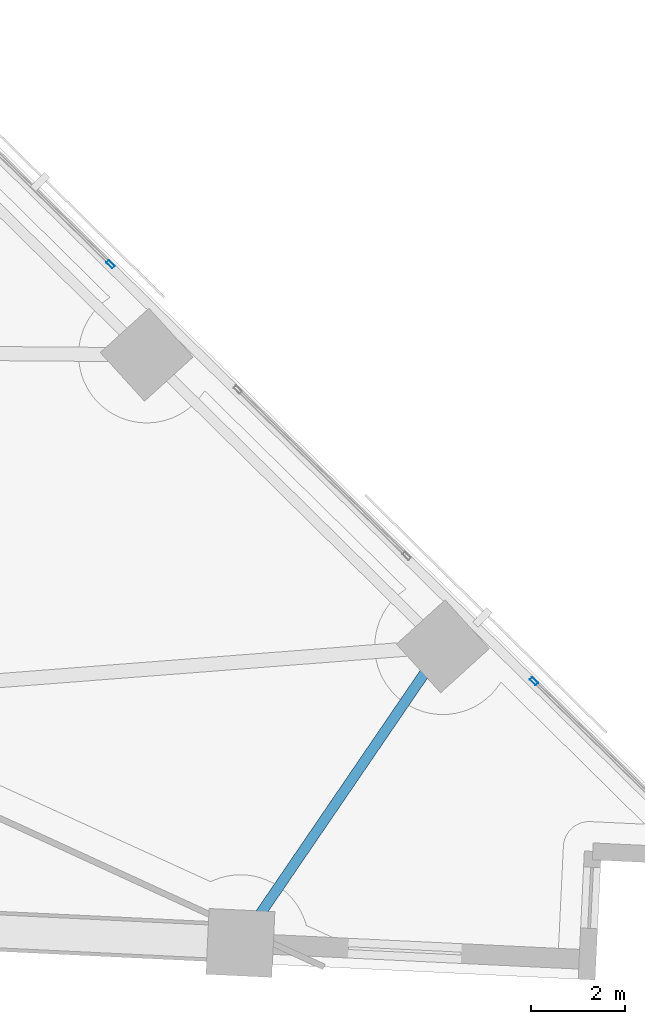
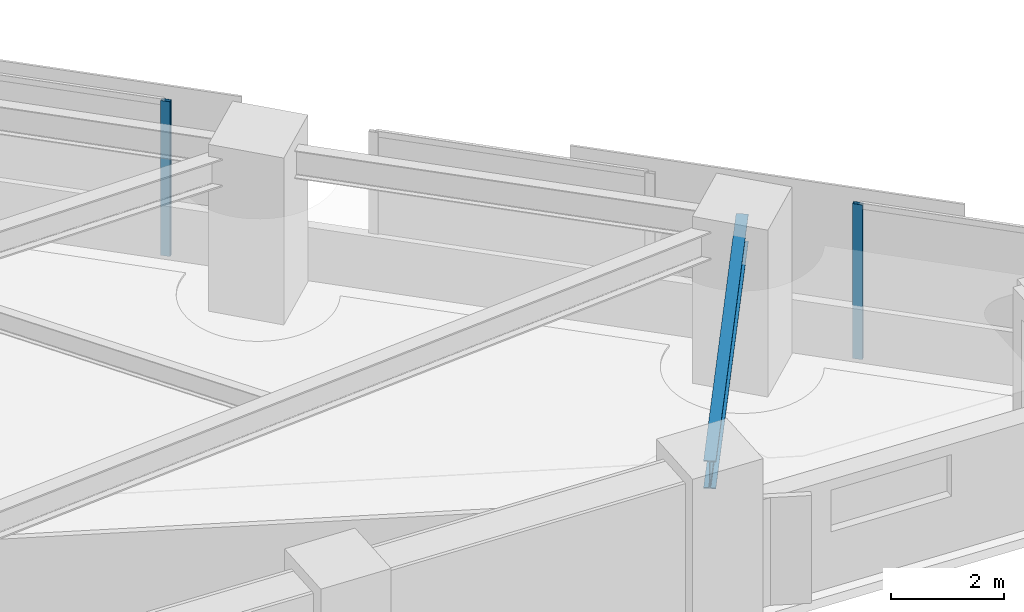
# One storey, part 4 of 18: 2 members, 1 beam, 2 elements without a shape of their own.
"""IFC4 building model written with IfcOpenShell, lengths in metres."""

from ifc_helpers import new_model, si_unit, direction, frame, origin, origin_2d, place, context, subcontext, project, spatial, hollow_rectangle, i_section, extrude, material, material_profile, profile_set, type_object, element, aggregate, save


model = new_model("IFC4")

# Units and contexts
model_context = context("Model", 3, precision=1e-05, world=origin(), true_north=direction((0.0, 1.0)))
body_context = subcontext(model_context, "Body", "Model", "MODEL_VIEW")
ifc_project = project(units=[si_unit("LENGTHUNIT", "METRE"), si_unit("AREAUNIT", "SQUARE_METRE"), si_unit("VOLUMEUNIT", "CUBIC_METRE"), si_unit("PLANEANGLEUNIT", "RADIAN"), si_unit("MASSUNIT", "GRAM", prefix="KILO")], contexts=[model_context])

# Site, building, storey
site_placement = place(None, origin())
site = spatial("IfcSite", under=ifc_project, at=site_placement, CompositionType="ELEMENT")
building_placement = place(site_placement, origin())
building = spatial("IfcBuilding", under=site, at=building_placement, Name="Narakoshi Arena Tower", CompositionType="ELEMENT")
storey_placement = place(building_placement, frame((0.0, 0.0, 44.699951171875)))
storey = spatial("IfcBuildingStorey", under=building, at=storey_placement, Name="L11", CompositionType="ELEMENT", Elevation=44.699951171875)

# Beam
ifc_material_1 = material(Name="Structural steel S355J2", Category="steel")
ifc_material_profile_1 = material_profile(ifc_material_1, i_section(OverallWidth=0.219970703125, OverallDepth=0.60009765625, WebThickness=0.011962890625, FlangeThickness=0.01904296875, FilletRadius=0.02392578125, at=origin_2d()), Name="IPE600")
ifc_profile_set_1 = profile_set([ifc_material_profile_1], Name="Structural steel S355J2")
beam_type = type_object("IfcBeamType", Name="BM-EDGE-600", PredefinedType="BEAM", material=ifc_profile_set_1)
beam_placement = place(storey_placement, frame((110.636474609375, 30.661865234375, 3.0400390625), z_axis=(0.563755333308, 0.825941840668, 0.0), x_axis=(-0.825941840668, 0.563755333308, 0.0)))
element("IfcBeam", 1, at=beam_placement, inside=storey, type_object=beam_type, Name="L11 Perimeter Edge Girder 04", PredefinedType="BEAM", context=body_context, shape_type="SweptSolid", body=[
    extrude(i_section(OverallWidth=0.219970703125, OverallDepth=0.60009765625, WebThickness=0.011962890625, FlangeThickness=0.01904296875, FilletRadius=0.02392578125, at=origin_2d()), origin(), (0.0, 0.0, 1.0), 7.637451171875),
])

# Curtain wall, member
ifc_material_2 = material(Name="Anodised bronze aluminium 6063-T6", Category="aluminium")
curtain_wall_type = type_object("IfcCurtainWallType", Name="CW-HYP-LOW", PredefinedType="NOTDEFINED", material=ifc_material_2)
curtain_wall_1_placement = place(storey_placement, origin())
curtain_wall_1 = element("IfcCurtainWall", 2, at=curtain_wall_1_placement, inside=storey, type_object=curtain_wall_type, Name="L11 Folded Hypotenuse Curtain Wall 1-1", PredefinedType="NOTDEFINED")
ifc_material_profile_2 = material_profile(ifc_material_2, hollow_rectangle(XDim=0.074951171875, YDim=0.179931640625, WallThickness=0.00390625, OuterFilletRadius=0.0048828125, at=origin_2d()), Name="MUL180x75x4")
ifc_profile_set_2 = profile_set([ifc_material_profile_2], Name="Anodised bronze aluminium 6063-T6")
member_type = type_object("IfcMemberType", Name="MEM-MUL-180", PredefinedType="MULLION", material=ifc_profile_set_2)
member_1_placement = place(storey_placement, frame((116.87744140625, 36.229248046875, 0.0), z_axis=(0.0, 0.0, 1.0), x_axis=(-0.701630192894, -0.712541277695, 0.0)))
member_1 = element("IfcMember", 3, at=member_1_placement, type_object=member_type, Name="CW-01 mullion 2", PredefinedType="MULLION", context=body_context, shape_type="SweptSolid", body=[
    extrude(hollow_rectangle(XDim=0.074951171875, YDim=0.179931640625, WallThickness=0.00390625, OuterFilletRadius=0.0048828125, at=origin_2d()), origin(), (0.0, 0.0, 1.0), 3.340087890625),
])
aggregate(curtain_wall_1, [member_1])

curtain_wall_2_placement = place(storey_placement, origin())
curtain_wall_2 = element("IfcCurtainWall", 4, at=curtain_wall_2_placement, inside=storey, type_object=curtain_wall_type, Name="L11 Folded Hypotenuse Curtain Wall 1-3", PredefinedType="NOTDEFINED")
member_2_placement = place(storey_placement, frame((107.872802734375, 45.095947265625, 0.0), z_axis=(0.0, 0.0, 1.0), x_axis=(-0.701632802488, -0.712538708053, 0.0)))
member_2 = element("IfcMember", 5, at=member_2_placement, type_object=member_type, Name="CW-01 mullion 1", PredefinedType="MULLION", context=body_context, shape_type="SweptSolid", body=[
    extrude(hollow_rectangle(XDim=0.074951171875, YDim=0.179931640625, WallThickness=0.00390625, OuterFilletRadius=0.0048828125, at=origin_2d()), origin(), (0.0, 0.0, 1.0), 3.340087890625),
])
aggregate(curtain_wall_2, [member_2])

save(model, "model.ifc")
